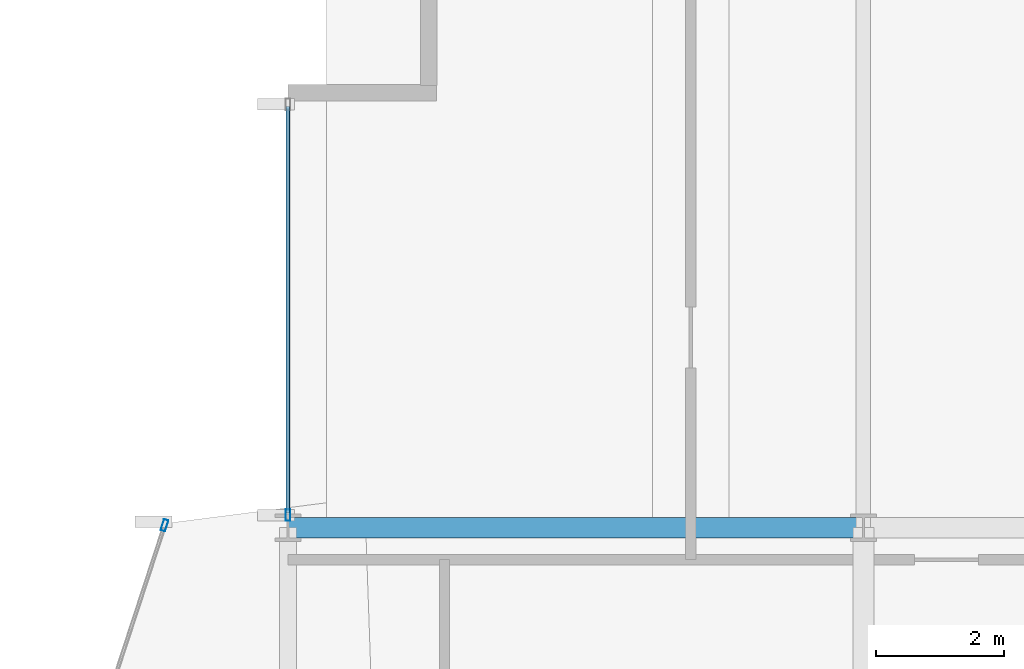
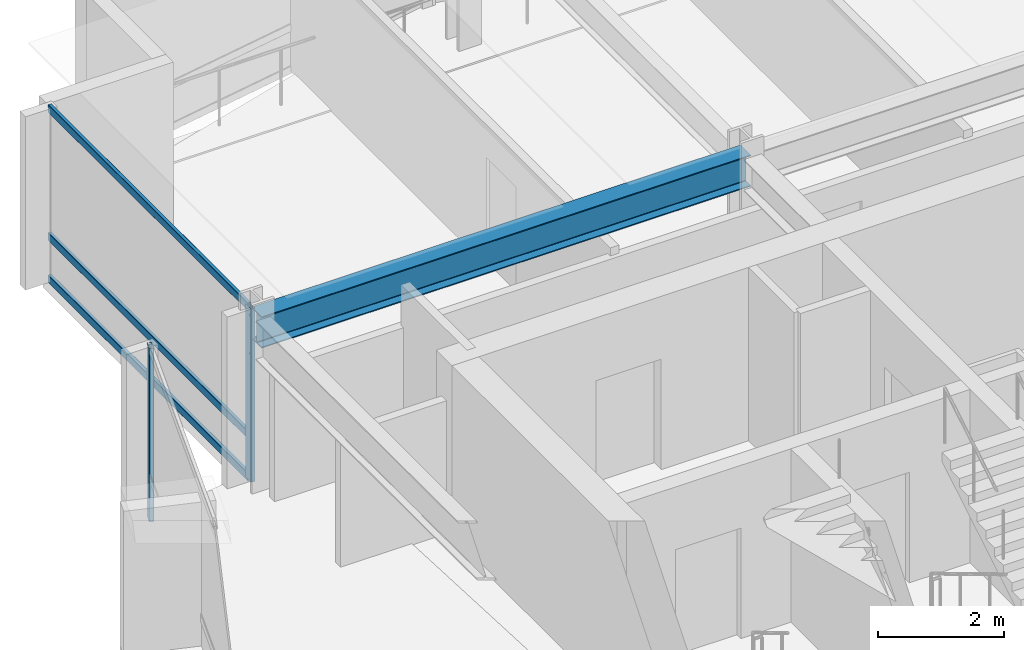
# One storey, part 16 of 29: 5 members, 1 beam, 2 elements without a shape of their own.
"""IFC4 building model written with IfcOpenShell, lengths in metres."""

import ifcopenshell
import ifcopenshell.guid

model = None  # the IFC model being written
_history = None  # IfcOwnerHistory: only IFC2X3 demands one
_inside = {}  # id of a spatial element -> (the spatial element, [elements in it])
_under = {}  # id of a project, library or spatial element -> (it, [spatial elements below it])
_declared = {}  # id of a project -> (the project, [libraries it declares])
_typed = {}  # id of a type object -> (the type object, [elements of that type])
_made_of = {}  # id of a material, layer set ... -> (it, [elements and type objects made of it])


def new_model(schema):
    """Start an empty IFC model of exactly this schema.

    Asked for "IFC4X3", IfcOpenShell would pick the latest addendum, in which some entities
    have other attributes; the version numbers below select the first issue.
    IFC2X3 requires an IfcOwnerHistory on every rooted entity: one is made here for all.
    """
    global model, _history
    if schema == "IFC4X3":
        model = ifcopenshell.file(schema_version=(4, 3, 0, 0))
    else:
        model = ifcopenshell.file(schema=schema)
    _inside.clear()
    _under.clear()
    _declared.clear()
    _typed.clear()
    _made_of.clear()
    _history = None
    if model.schema == "IFC2X3":
        org = make("IfcOrganization", Name="unknown")
        user = make(
            "IfcPersonAndOrganization",
            ThePerson=make("IfcPerson", FamilyName="unknown"),
            TheOrganization=org,
        )
        app = make(
            "IfcApplication",
            ApplicationDeveloper=org,
            Version="unknown",
            ApplicationFullName="unknown",
            ApplicationIdentifier="unknown",
        )
        _history = make(
            "IfcOwnerHistory",
            OwningUser=user,
            OwningApplication=app,
            ChangeAction="ADDED",
            CreationDate=0,
        )
    return model


def make(cls, **values):
    """One entity of the class cls with the attributes given. An attribute that is None is left unset."""
    return model.create_entity(
        cls, **{name: value for name, value in values.items() if value is not None}
    )


def rooted(cls, **values):
    """An entity with a GlobalId (a new one), such as an element, a storey or a relation."""
    return make(cls, GlobalId=ifcopenshell.guid.new(), OwnerHistory=_history, **values)


def si_unit(unit_type, name, prefix=None):
    """IfcSIUnit, for example si_unit("LENGTHUNIT", "METRE", prefix="MILLI")."""
    return make("IfcSIUnit", UnitType=unit_type, Prefix=prefix, Name=name)


def assignment(units):
    """IfcUnitAssignment: the units of a project."""
    return None if units is None else make("IfcUnitAssignment", Units=units)


def point(xyz):
    """IfcCartesianPoint."""
    return None if xyz is None else make("IfcCartesianPoint", Coordinates=xyz)


def direction(xyz):
    """IfcDirection."""
    return None if xyz is None else make("IfcDirection", DirectionRatios=xyz)


def frame(location, z_axis=None, x_axis=None):
    """IfcAxis2Placement3D, a coordinate frame: its origin and axes. An axis left out is left unset."""
    return make(
        "IfcAxis2Placement3D",
        Location=point(location),
        Axis=direction(z_axis),
        RefDirection=direction(x_axis),
    )


def frame_2d(location, x_axis=None):
    """IfcAxis2Placement2D, a coordinate frame in the plane: its origin and x axis."""
    return make(
        "IfcAxis2Placement2D", Location=point(location), RefDirection=direction(x_axis)
    )


def origin():
    """The frame at (0, 0, 0) with its axes left unset."""
    return frame((0.0, 0.0, 0.0))


def origin_2d():
    """The frame at (0, 0) in the plane with its x axis left unset."""
    return frame_2d((0.0, 0.0))


def place(relative_to, where):
    """IfcLocalPlacement: puts the frame where relative to a parent placement (None: the world)."""
    return make(
        "IfcLocalPlacement", PlacementRelTo=relative_to, RelativePlacement=where
    )


def context(
    kind, dimensions, precision=None, world=None, true_north=None, identifier=None
):
    """IfcGeometricRepresentationContext, for example the 3D "Model" context."""
    return make(
        "IfcGeometricRepresentationContext",
        ContextIdentifier=identifier,
        ContextType=kind,
        CoordinateSpaceDimension=dimensions,
        Precision=precision,
        WorldCoordinateSystem=world,
        TrueNorth=true_north,
    )


def subcontext(parent, identifier, kind, view, scale=None):
    """IfcGeometricRepresentationSubContext, for example "Body" below "Model"."""
    return make(
        "IfcGeometricRepresentationSubContext",
        ContextIdentifier=identifier,
        ContextType=kind,
        ParentContext=parent,
        TargetScale=scale,
        TargetView=view,
    )


def project(units=None, contexts=None):
    """IfcProject with its units and contexts."""
    return rooted(
        "IfcProject",
        Name="project",
        RepresentationContexts=contexts,
        UnitsInContext=assignment(units),
    )


def spatial(cls, under=None, at=None, **own):
    """A site, building, storey or space (cls), placed at a placement, below another one or the project."""
    s = rooted(cls, ObjectPlacement=at, **own)
    if under is not None:
        _under.setdefault(under.id(), (under, []))[1].append(s)
    return s


def profile(cls, at=None, kind="AREA", **sizes):
    """A parametric profile (cls). Its sizes go by their IFC names, for example OverallWidth=200.0."""
    return make(cls, ProfileType=kind, Position=at, **sizes)


def hollow_rectangle(**sizes):
    """IfcRectangleHollowProfileDef."""
    return profile("IfcRectangleHollowProfileDef", **sizes)


def i_section(**sizes):
    """IfcIShapeProfileDef."""
    return profile("IfcIShapeProfileDef", **sizes)


def extrude(swept, where, along, depth):
    """IfcExtrudedAreaSolid: the profile swept, set in the frame where, extruded along a direction by depth."""
    return make(
        "IfcExtrudedAreaSolid",
        SweptArea=swept,
        Position=where,
        ExtrudedDirection=direction(along),
        Depth=depth,
    )


def shape(context_of_items, identifier, shape_type, items):
    """IfcShapeRepresentation: the items that make up one representation, for example the "Body"."""
    return make(
        "IfcShapeRepresentation",
        ContextOfItems=context_of_items,
        RepresentationIdentifier=identifier,
        RepresentationType=shape_type,
        Items=items,
    )


def material(Name=None, Category=None):
    """IfcMaterial."""
    return make("IfcMaterial", Name=Name, Category=Category)


def layer(
    of_material, thickness, ventilated=None, Name=None, Category=None, Priority=None
):
    """IfcMaterialLayer: one layer of a wall or slab, of a material (None: an air gap)."""
    return make(
        "IfcMaterialLayer",
        Material=of_material,
        LayerThickness=thickness,
        IsVentilated=ventilated,
        Name=Name,
        Category=Category,
        Priority=Priority,
    )


def layer_set(layers, Name=None):
    """IfcMaterialLayerSet."""
    return make("IfcMaterialLayerSet", MaterialLayers=layers, LayerSetName=Name)


def material_profile(
    of_material, cross_section, Name=None, Category=None, Priority=None
):
    """IfcMaterialProfile: a cross section and its material."""
    return make(
        "IfcMaterialProfile",
        Name=Name,
        Material=of_material,
        Profile=cross_section,
        Priority=Priority,
        Category=Category,
    )


def profile_set(profiles, Name=None, composite=None):
    """IfcMaterialProfileSet."""
    return make(
        "IfcMaterialProfileSet",
        Name=Name,
        MaterialProfiles=profiles,
        CompositeProfile=composite,
    )


def made_of(thing, what):
    """Note that an element or type object is made of a material, layer set ...; save() writes the relation."""
    if what is not None:
        _made_of.setdefault(what.id(), (what, []))[1].append(thing)
    return thing


def type_object(cls, material=None, **own):
    """A type object (cls), such as IfcWallType, which elements share."""
    return made_of(rooted(cls, **own), material)


def element(
    cls,
    number,
    at=None,
    inside=None,
    cuts=None,
    type_object=None,
    material=None,
    context=None,
    identifier="Body",
    shape_type=None,
    held_by="IfcProductDefinitionShape",
    body=None,
    shapes=None,
    **own,
):
    """One element of the class cls, such as IfcWall. Its Tag is "e" and its number.

    at: its placement. inside: the storey or other place that contains it. cuts: it is an
    opening in that element (IfcRelVoidsElement). A single representation is given by context,
    identifier, shape_type and body (its items); several are given by shapes. held_by: the class
    of the entity that holds the representations. save() writes the other relations.
    """
    e = rooted(cls, Tag="e%d" % number, ObjectPlacement=at, **own)
    if body is not None:
        shapes = [shape(context, identifier, shape_type, body)]
    if shapes is not None:
        e.Representation = make(held_by, Representations=shapes)
    if inside is not None:
        _inside.setdefault(inside.id(), (inside, []))[1].append(e)
    if cuts is not None:
        rooted(
            "IfcRelVoidsElement", RelatingBuildingElement=cuts, RelatedOpeningElement=e
        )
    if type_object is not None:
        _typed.setdefault(type_object.id(), (type_object, []))[1].append(e)
    return made_of(e, material)


def aggregate(whole, parts):
    """IfcRelAggregates: a whole, such as a stair, and the parts it consists of."""
    return rooted("IfcRelAggregates", RelatingObject=whole, RelatedObjects=parts)


def save(model, path):
    """Write the relations noted so far, then the file.

    IfcRelAggregates (storeys below a building ...), IfcRelContainedInSpatialStructure (elements
    in a storey), IfcRelDefinesByType, IfcRelAssociatesMaterial and IfcRelDeclares: one each for
    every whole, place, type object, material and project.
    """
    for whole, parts in _under.values():
        aggregate(whole, parts)
    for where, things in _inside.values():
        rooted(
            "IfcRelContainedInSpatialStructure",
            RelatedElements=things,
            RelatingStructure=where,
        )
    for kind, things in _typed.values():
        rooted("IfcRelDefinesByType", RelatedObjects=things, RelatingType=kind)
    for what, things in _made_of.values():
        rooted("IfcRelAssociatesMaterial", RelatedObjects=things, RelatingMaterial=what)
    for by, libraries in _declared.values():
        rooted("IfcRelDeclares", RelatingContext=by, RelatedDefinitions=libraries)
    model.write(path)


model = new_model("IFC4")

# Units and contexts
model_context = context("Model", 3, precision=1e-05, world=origin(), true_north=direction((0.0, 1.0)))
body_context = subcontext(model_context, "Body", "Model", "MODEL_VIEW")
ifc_project = project(units=[si_unit("LENGTHUNIT", "METRE"), si_unit("AREAUNIT", "SQUARE_METRE"), si_unit("VOLUMEUNIT", "CUBIC_METRE"), si_unit("PLANEANGLEUNIT", "RADIAN"), si_unit("MASSUNIT", "GRAM", prefix="KILO")], contexts=[model_context])

# Site, building, storey
site_placement = place(None, origin())
site = spatial("IfcSite", under=ifc_project, at=site_placement, CompositionType="ELEMENT")
building_placement = place(site_placement, origin())
building = spatial("IfcBuilding", under=site, at=building_placement, Name="Solvaryn Broadcast Tower", CompositionType="ELEMENT")
storey_placement = place(building_placement, frame((0.0, 0.0, 165.5)))
storey = spatial("IfcBuildingStorey", under=building, at=storey_placement, Name="L41", CompositionType="ELEMENT", Elevation=165.5)

# Beam
ifc_material_1 = material(Name="Steel ASTM A992 Grade 50", Category="steel")
ifc_material_profile_1 = material_profile(ifc_material_1, i_section(OverallWidth=0.323974609375, OverallDepth=0.611083984375, WebThickness=0.0126953125, FlangeThickness=0.01904296875, FilletRadius=0.014892578125, at=origin_2d()))
ifc_profile_set_1 = profile_set([ifc_material_profile_1], Name="Steel ASTM A992 Grade 50")
beam_type = type_object("IfcBeamType", Name="BM-B1-W24X104", PredefinedType="BEAM", material=ifc_profile_set_1)
beam_placement = place(storey_placement, frame((9.0, 45.0, 3.064453125), z_axis=(1.0, 0.0, 0.0), x_axis=(0.0, 1.0, 0.0)))
element("IfcBeam", 1, at=beam_placement, inside=storey, type_object=beam_type, Name="L41 Primary Beam X (9-18 @ Y=45)", PredefinedType="BEAM", context=body_context, shape_type="SweptSolid", body=[
    extrude(i_section(OverallWidth=0.323974609375, OverallDepth=0.611083984375, WebThickness=0.0126953125, FlangeThickness=0.01904296875, FilletRadius=0.014892578125, at=origin_2d()), origin(), (0.0, 0.0, 1.0), 9.0),
])

# Curtain wall, member
ifc_material_2 = material(Name="Aluminium and Terracotta Unitised Curtain Wall", Category="masonry")
ifc_layer = layer(ifc_material_2, 0.199951171875)
ifc_layer_set = layer_set([ifc_layer], Name="CW-SYS2-LOWMID")
curtain_wall_type = type_object("IfcCurtainWallType", Name="CW-SYS2-LOWMID", PredefinedType="NOTDEFINED", material=ifc_layer_set)
curtain_wall_1_placement = place(storey_placement, origin())
curtain_wall_1 = element("IfcCurtainWall", 2, at=curtain_wall_1_placement, inside=storey, type_object=curtain_wall_type, Name="L41 Curtain Wall DR1", PredefinedType="NOTDEFINED")
ifc_material_3 = material(Name="Anodised Aluminium 6063-T6", Category="aluminium")
ifc_material_profile_2 = material_profile(ifc_material_3, hollow_rectangle(XDim=0.074951171875, YDim=0.179931640625, WallThickness=0.00390625, InnerFilletRadius=0.00390625, OuterFilletRadius=0.008056640625, at=origin_2d()))
ifc_profile_set_2 = profile_set([ifc_material_profile_2], Name="Anodised Aluminium 6063-T6")
member_type_1 = type_object("IfcMemberType", Name="CW-MUL-180", PredefinedType="MULLION", material=ifc_profile_set_2)
member_1_placement = place(storey_placement, frame((7.069580078125, 45.03857421875, 0.0), z_axis=(0.0, 0.0, 1.0), x_axis=(0.950198260794, -0.311646057547, 0.0)))
member_1 = element("IfcMember", 3, at=member_1_placement, type_object=member_type_1, Name="CWS2 mullion 1", PredefinedType="MULLION", context=body_context, shape_type="SweptSolid", body=[
    extrude(hollow_rectangle(XDim=0.074951171875, YDim=0.179931640625, WallThickness=0.00390625, InnerFilletRadius=0.00390625, OuterFilletRadius=0.008056640625, at=origin_2d()), origin(), (0.0, 0.0, 1.0), 3.3701171875),
])
aggregate(curtain_wall_1, [member_1])

# Curtain wall, members
curtain_wall_2_placement = place(storey_placement, origin())
curtain_wall_2 = element("IfcCurtainWall", 4, at=curtain_wall_2_placement, inside=storey, type_object=curtain_wall_type, Name="L41 Curtain Wall W2", PredefinedType="NOTDEFINED")
member_2_placement = place(storey_placement, frame((9.0, 45.197021484375, 0.0), z_axis=(0.0, 0.0, 1.0), x_axis=(-1.0, 0.0, 0.0)))
member_2 = element("IfcMember", 5, at=member_2_placement, type_object=member_type_1, Name="CWS2 mullion 1", PredefinedType="MULLION", context=body_context, shape_type="SweptSolid", body=[
    extrude(hollow_rectangle(XDim=0.074951171875, YDim=0.179931640625, WallThickness=0.00390625, InnerFilletRadius=0.00390625, OuterFilletRadius=0.008056640625, at=origin_2d()), origin(), (0.0, 0.0, 1.0), 3.3701171875),
])
ifc_material_4 = material(Name="Anodised Aluminium 6063-T6", Category="aluminium")
ifc_material_profile_3 = material_profile(ifc_material_4, hollow_rectangle(XDim=0.06494140625, YDim=0.14990234375, WallThickness=0.00390625, InnerFilletRadius=0.00390625, OuterFilletRadius=0.008056640625, at=origin_2d()))
ifc_profile_set_3 = profile_set([ifc_material_profile_3], Name="Anodised Aluminium 6063-T6")
member_type_2 = type_object("IfcMemberType", Name="CW-TRN-150", PredefinedType="USERDEFINED", material=ifc_profile_set_3)
member_3_placement = place(storey_placement, frame((9.0, 45.22705078125, 0.030029296875), z_axis=(0.0, 1.0, 0.0), x_axis=(-1.0, 0.0, 0.0)))
member_3 = element("IfcMember", 6, at=member_3_placement, type_object=member_type_2, Name="CWS2 transom 1.1", ObjectType="TRANSOM", PredefinedType="USERDEFINED", context=body_context, shape_type="SweptSolid", body=[
    extrude(hollow_rectangle(XDim=0.06494140625, YDim=0.14990234375, WallThickness=0.00390625, InnerFilletRadius=0.00390625, OuterFilletRadius=0.008056640625, at=origin_2d()), origin(), (0.0, 0.0, 1.0), 6.363037109375),
])
member_4_placement = place(storey_placement, frame((9.0, 45.22705078125, 0.85009765625), z_axis=(0.0, 1.0, 0.0), x_axis=(-1.0, 0.0, 0.0)))
member_4 = element("IfcMember", 7, at=member_4_placement, type_object=member_type_2, Name="CWS2 transom 1.2", ObjectType="TRANSOM", PredefinedType="USERDEFINED", context=body_context, shape_type="SweptSolid", body=[
    extrude(hollow_rectangle(XDim=0.06494140625, YDim=0.14990234375, WallThickness=0.00390625, InnerFilletRadius=0.00390625, OuterFilletRadius=0.008056640625, at=origin_2d()), origin(), (0.0, 0.0, 1.0), 6.363037109375),
])
member_5_placement = place(storey_placement, frame((9.0, 45.22705078125, 3.340087890625), z_axis=(0.0, 1.0, 0.0), x_axis=(-1.0, 0.0, 0.0)))
member_5 = element("IfcMember", 8, at=member_5_placement, type_object=member_type_2, Name="CWS2 transom 1.3", ObjectType="TRANSOM", PredefinedType="USERDEFINED", context=body_context, shape_type="SweptSolid", body=[
    extrude(hollow_rectangle(XDim=0.06494140625, YDim=0.14990234375, WallThickness=0.00390625, InnerFilletRadius=0.00390625, OuterFilletRadius=0.008056640625, at=origin_2d()), origin(), (0.0, 0.0, 1.0), 6.363037109375),
])
aggregate(curtain_wall_2, [member_2, member_3, member_4, member_5])

save(model, "model.ifc")
